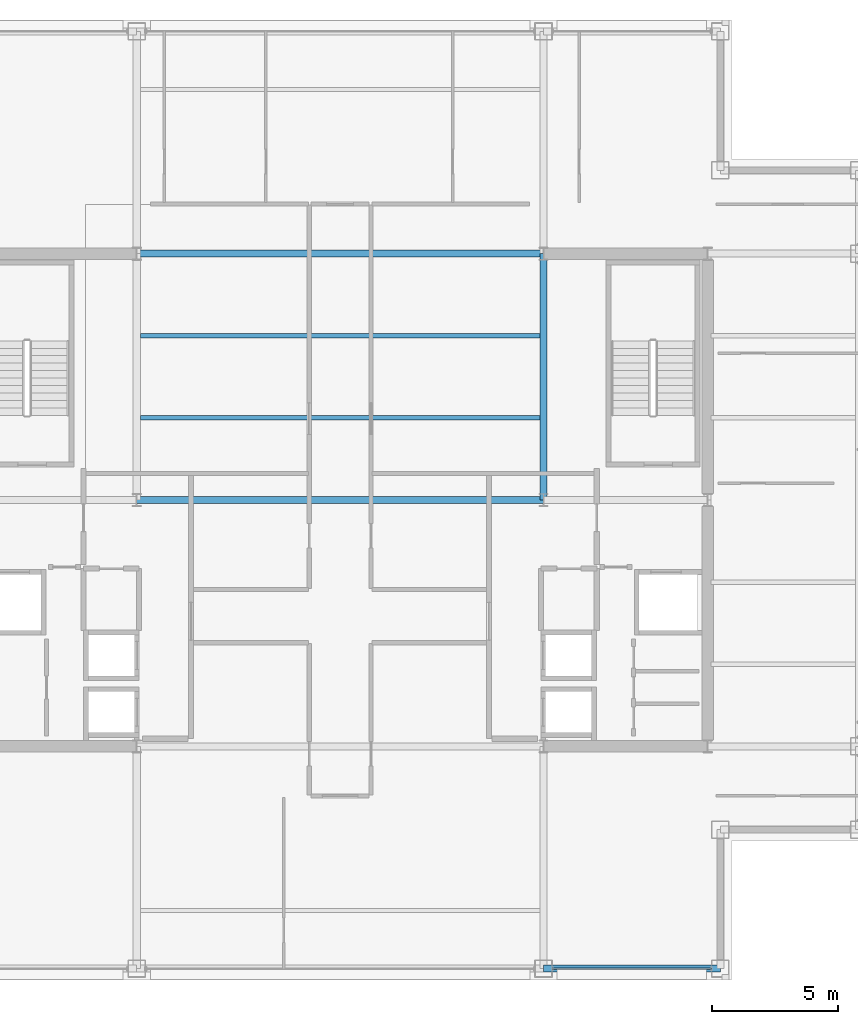
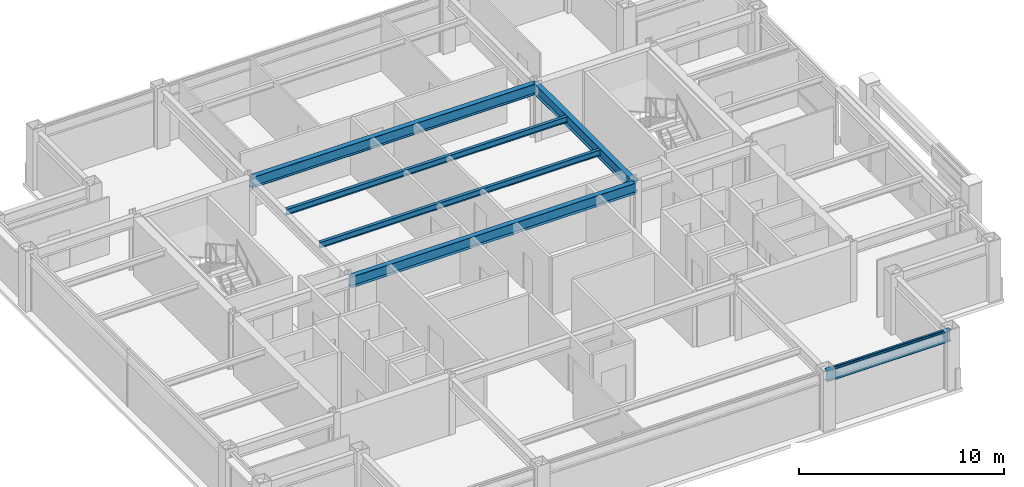
# One storey, part 11 of 29: 6 beams, 1 member, 1 element without a shape of its own.
"""IFC4 building model written with IfcOpenShell, lengths in metres."""

from ifc_helpers import new_model, si_unit, direction, frame, origin, origin_2d, place, context, subcontext, project, spatial, hollow_rectangle, i_section, extrude, material, layer, layer_set, material_profile, profile_set, type_object, element, aggregate, save


model = new_model("IFC4")

# Units and contexts
model_context = context("Model", 3, precision=1e-05, world=origin(), true_north=direction((0.0, 1.0)))
body_context = subcontext(model_context, "Body", "Model", "MODEL_VIEW")
ifc_project = project(units=[si_unit("LENGTHUNIT", "METRE"), si_unit("AREAUNIT", "SQUARE_METRE"), si_unit("VOLUMEUNIT", "CUBIC_METRE"), si_unit("PLANEANGLEUNIT", "RADIAN"), si_unit("MASSUNIT", "GRAM", prefix="KILO")], contexts=[model_context])

# Site, building, storey
site_placement = place(None, origin())
site = spatial("IfcSite", under=ifc_project, at=site_placement, CompositionType="ELEMENT")
building_placement = place(site_placement, origin())
building = spatial("IfcBuilding", under=site, at=building_placement, Name="Brelmoor Portico Tower", CompositionType="ELEMENT")
storey_placement = place(building_placement, frame((0.0, 0.0, 201.89990234375)))
storey = spatial("IfcBuildingStorey", under=building, at=storey_placement, Name="L53", CompositionType="ELEMENT", Elevation=201.89990234375)

# Beams
ifc_material_1 = material(Name="Steel Q355B", Category="steel")
ifc_material_profile_1 = material_profile(ifc_material_1, i_section(OverallWidth=0.175048828125, OverallDepth=0.35009765625, WebThickness=0.007080078125, FlangeThickness=0.010986328125, at=origin_2d()), Name="HN 350x175x7x11")
ifc_profile_set_1 = profile_set([ifc_material_profile_1], Name="Steel Q355B")
beam_type_1 = type_object("IfcBeamType", Name="BM-JS-350", PredefinedType="JOIST", material=ifc_profile_set_1)
for number, where, z_axis, x_axis, name in (
    (1, (-7.909912109375, 3.25, 3.22509765625), (1.0, 0.0, 0.0), (0.0, 1.0, 0.0), "L53 Secondary Composite Joist JS-C02"),
    (2, (-7.909912109375, 6.5, 3.22509765625), (1.0, 0.0, 0.0), (0.0, 1.0, 0.0), "L53 Secondary Composite Joist JS-C03"),
):
    element("IfcBeam", number, at=place(storey_placement, frame(where, z_axis=z_axis, x_axis=x_axis)), inside=storey, type_object=beam_type_1, Name=name, PredefinedType="JOIST", context=body_context, shape_type="SweptSolid", body=[
        extrude(i_section(OverallWidth=0.175048828125, OverallDepth=0.35009765625, WebThickness=0.007080078125, FlangeThickness=0.010986328125, at=origin_2d()), origin(), (0.0, 0.0, 1.0), 15.81982421875),
    ])
ifc_material_profile_2 = material_profile(ifc_material_1, i_section(OverallWidth=0.280029296875, OverallDepth=0.64990234375, WebThickness=0.012939453125, FlangeThickness=0.02197265625, at=origin_2d()), Name="HN 650x280x13x22")
ifc_profile_set_2 = profile_set([ifc_material_profile_2], Name="Steel Q355B")
beam_type_2 = type_object("IfcBeamType", Name="BM-PG-650", PredefinedType="BEAM", material=ifc_profile_set_2)
beam_1_placement = place(storey_placement, frame((8.050048828125, 0.0, 3.0751953125), z_axis=(0.0, 1.0, 0.0), x_axis=(-1.0, 0.0, 0.0)))
element("IfcBeam", 3, at=beam_1_placement, inside=storey, type_object=beam_type_2, Name="L53 Primary Floor Girder PG-07", PredefinedType="BEAM", context=body_context, shape_type="SweptSolid", body=[
    extrude(i_section(OverallWidth=0.280029296875, OverallDepth=0.64990234375, WebThickness=0.012939453125, FlangeThickness=0.02197265625, at=origin_2d()), origin(), (0.0, 0.0, 1.0), 9.75),
])
for number, where, z_axis, x_axis, name in (
    (4, (-8.050048828125, 0.0, 3.0751953125), (1.0, 0.0, 0.0), (0.0, 1.0, 0.0), "L53 Primary Floor Girder PG-17"),
    (5, (-8.050048828125, 9.75, 3.0751953125), (1.0, 0.0, 0.0), (0.0, 1.0, 0.0), "L53 Primary Floor Girder PG-21"),
):
    element("IfcBeam", number, at=place(storey_placement, frame(where, z_axis=z_axis, x_axis=x_axis)), inside=storey, type_object=beam_type_2, Name=name, PredefinedType="BEAM", context=body_context, shape_type="SweptSolid", body=[
        extrude(i_section(OverallWidth=0.280029296875, OverallDepth=0.64990234375, WebThickness=0.012939453125, FlangeThickness=0.02197265625, at=origin_2d()), origin(), (0.0, 0.0, 1.0), 16.10009765625),
    ])
ifc_material_profile_3 = material_profile(ifc_material_1, i_section(OverallWidth=0.280029296875, OverallDepth=0.64990234375, WebThickness=0.012939453125, FlangeThickness=0.02197265625, at=origin_2d()), Name="HN 650x280x13x22")
ifc_profile_set_3 = profile_set([ifc_material_profile_3], Name="Steel Q355B")
beam_type_3 = type_object("IfcBeamType", Name="BM-SP-650", PredefinedType="SPANDREL", material=ifc_profile_set_3)
beam_2_placement = place(storey_placement, frame((8.050048828125, -18.550048828125, 3.0751953125), z_axis=(1.0, 0.0, 0.0), x_axis=(0.0, 1.0, 0.0)))
element("IfcBeam", 6, at=beam_2_placement, inside=storey, type_object=beam_type_3, Name="L53 Perimeter Spandrel Beam SP-03", PredefinedType="SPANDREL", context=body_context, shape_type="SweptSolid", body=[
    extrude(i_section(OverallWidth=0.280029296875, OverallDepth=0.64990234375, WebThickness=0.012939453125, FlangeThickness=0.02197265625, at=origin_2d()), origin(), (0.0, 0.0, 1.0), 7.0),
])

# Curtain wall, member
ifc_material_2 = material(Name="Anodised Aluminium Alloy 6063-T6", Category="aluminium")
ifc_layer = layer(ifc_material_2, 0.179931640625)
ifc_layer_set = layer_set([ifc_layer], Name="Anodised Aluminium Alloy 6063-T6")
curtain_wall_type = type_object("IfcCurtainWallType", Name="CW-TOWER-Z3-XB", PredefinedType="NOTDEFINED", material=ifc_layer_set)
curtain_wall_placement = place(storey_placement, origin())
curtain_wall = element("IfcCurtainWall", 7, at=curtain_wall_placement, inside=storey, type_object=curtain_wall_type, Name="L53 Curtain Wall CW-L53-01-3", PredefinedType="NOTDEFINED")
ifc_material_profile_4 = material_profile(ifc_material_2, hollow_rectangle(XDim=0.06005859375, YDim=0.125, WallThickness=0.00341796875, at=origin_2d()), Name="ALU TRANSOM 60x125")
ifc_profile_set_4 = profile_set([ifc_material_profile_4], Name="Anodised Aluminium Alloy 6063-T6")
member_type = type_object("IfcMemberType", Name="MB-CW-TRAN-125", PredefinedType="USERDEFINED", material=ifc_profile_set_4)
member_placement = place(storey_placement, frame((8.409912109375, -18.550048828125, 3.337646484375), z_axis=(1.0, 0.0, 0.0), x_axis=(0.0, 1.0, 0.0)))
member = element("IfcMember", 8, at=member_placement, type_object=member_type, Name="CW-L53-01-3 Transom 1-00", ObjectType="TRANSOM", PredefinedType="USERDEFINED", context=body_context, shape_type="SweptSolid", body=[
    extrude(hollow_rectangle(XDim=0.06005859375, YDim=0.125, WallThickness=0.00341796875, at=origin_2d()), origin(), (0.0, 0.0, 1.0), 6.280029296875),
])
aggregate(curtain_wall, [member])

save(model, "model.ifc")
